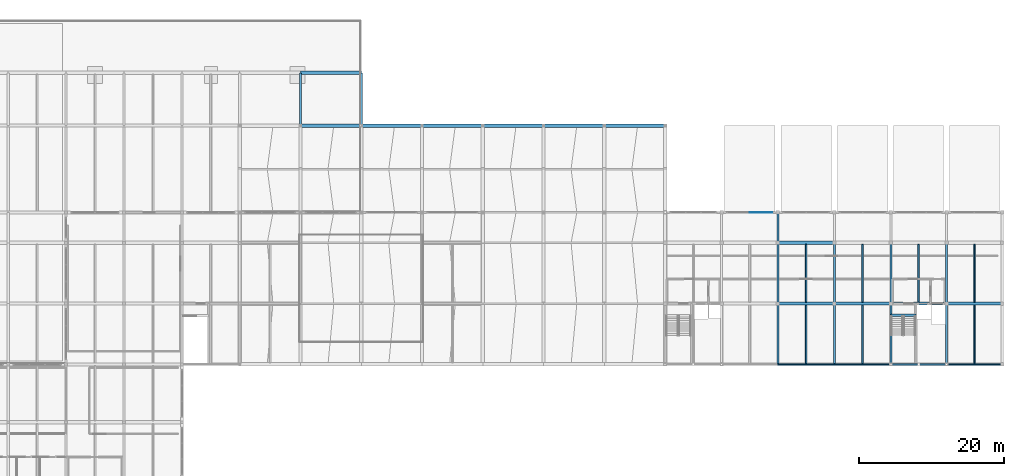
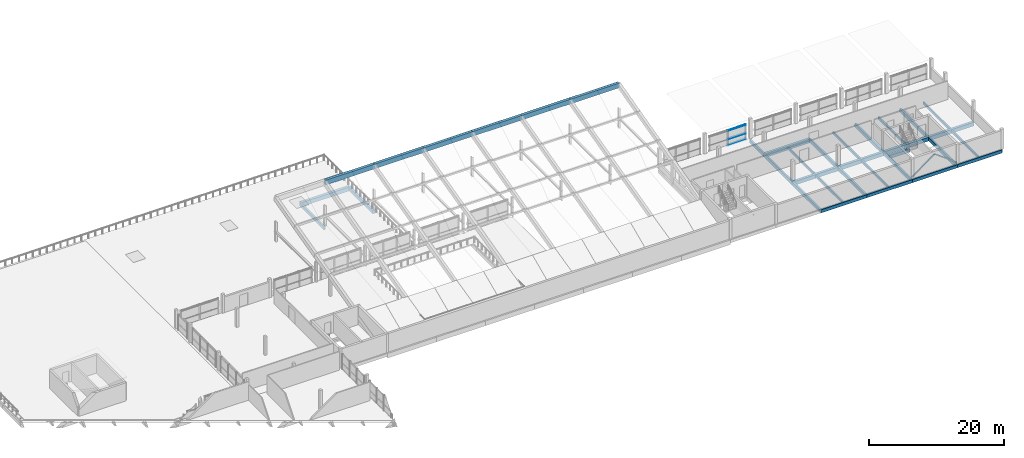
# One storey, part 30 of 51: 35 beams, 5 members, 1 element without a shape of its own.
"""IFC4 building model written with IfcOpenShell, lengths in metres."""

from ifc_helpers import new_model, si_unit, direction, frame, origin, origin_2d, place, context, subcontext, project, spatial, rectangle, hollow_rectangle, extrude, material, material_profile, profile_set, type_object, element, aggregate, save


model = new_model("IFC4")

# Units and contexts
model_context = context("Model", 3, precision=1e-05, world=origin(), true_north=direction((0.0, 1.0)))
body_context = subcontext(model_context, "Body", "Model", "MODEL_VIEW")
ifc_project = project(units=[si_unit("LENGTHUNIT", "METRE"), si_unit("AREAUNIT", "SQUARE_METRE"), si_unit("VOLUMEUNIT", "CUBIC_METRE"), si_unit("PLANEANGLEUNIT", "RADIAN"), si_unit("MASSUNIT", "GRAM", prefix="KILO")], contexts=[model_context])

# Site, building, storey
site_placement = place(None, origin())
site = spatial("IfcSite", under=ifc_project, at=site_placement, CompositionType="ELEMENT")
building_placement = place(site_placement, origin())
building = spatial("IfcBuilding", under=site, at=building_placement, Name="Vharandega Faculty of Natural Sciences", CompositionType="ELEMENT")
storey_placement = place(building_placement, frame((0.0, 0.0, 18.0)))
storey = spatial("IfcBuildingStorey", under=building, at=storey_placement, Name="L04", CompositionType="ELEMENT", Elevation=18.0)

# Curtain wall, members
ifc_material_1 = material(Name="Aluminium and solar-control glass curtain wall", Category="aluminium")
curtain_wall_type = type_object("IfcCurtainWallType", Name="Unitised Curtain Wall System CW-22", PredefinedType="NOTDEFINED", material=ifc_material_1)
curtain_wall_placement = place(storey_placement, origin())
curtain_wall = element("IfcCurtainWall", 1, at=curtain_wall_placement, inside=storey, type_object=curtain_wall_type, Name="Curtain Wall CW-L04-021", PredefinedType="NOTDEFINED")
ifc_material_2 = material(Name="Thermally broken aluminium 6063-T6", Category="aluminium")
ifc_material_profile_1 = material_profile(ifc_material_2, rectangle(XDim=0.06005859375, YDim=0.1201171875, at=origin_2d()), Name="ALU 60x120")
ifc_profile_set_1 = profile_set([ifc_material_profile_1], Name="Thermally broken aluminium 6063-T6")
member_type_1 = type_object("IfcMemberType", Name="CW Transom 60x120", PredefinedType="USERDEFINED", material=ifc_profile_set_1)
member_1_placement = place(storey_placement, frame((126.530029296875, 85.0, 0.030029296875), z_axis=(1.0, 0.0, 0.0), x_axis=(0.0, 1.0, 0.0)))
member_1 = element("IfcMember", 2, at=member_1_placement, type_object=member_type_1, Name="CW-22 transom 2.1", ObjectType="TRANSOM", PredefinedType="USERDEFINED", context=body_context, shape_type="SweptSolid", body=[
    extrude(rectangle(XDim=0.06005859375, YDim=0.1201171875, at=origin_2d()), origin(), (0.0, 0.0, 1.0), 3.070068359375),
])
member_2_placement = place(storey_placement, frame((126.530029296875, 85.0, 1.12548828125), z_axis=(1.0, 0.0, 0.0), x_axis=(0.0, 1.0, 0.0)))
member_2 = element("IfcMember", 3, at=member_2_placement, type_object=member_type_1, Name="CW-22 transom 2.2", ObjectType="TRANSOM", PredefinedType="USERDEFINED", context=body_context, shape_type="SweptSolid", body=[
    extrude(rectangle(XDim=0.06005859375, YDim=0.1201171875, at=origin_2d()), origin(), (0.0, 0.0, 1.0), 3.070068359375),
])
member_3_placement = place(storey_placement, frame((126.530029296875, 85.0, 2.64990234375), z_axis=(1.0, 0.0, 0.0), x_axis=(0.0, 1.0, 0.0)))
member_3 = element("IfcMember", 4, at=member_3_placement, type_object=member_type_1, Name="CW-22 transom 2.3", ObjectType="TRANSOM", PredefinedType="USERDEFINED", context=body_context, shape_type="SweptSolid", body=[
    extrude(rectangle(XDim=0.06005859375, YDim=0.1201171875, at=origin_2d()), origin(), (0.0, 0.0, 1.0), 3.070068359375),
])
aggregate(curtain_wall, [member_1, member_2, member_3])

# Beams
ifc_material_3 = material(Name="Glulam GL28h", Category="wood")
ifc_material_profile_2 = material_profile(ifc_material_3, rectangle(XDim=0.300048828125, YDim=0.60009765625, at=origin_2d()), Name="GL28h 300x600")
ifc_profile_set_2 = profile_set([ifc_material_profile_2], Name="Glulam GL28h")
beam_type_1 = type_object("IfcBeamType", Name="Glulam Floor Beam 300x600", PredefinedType="BEAM", material=ifc_profile_set_2)
beam_1_placement = place(storey_placement, frame((64.39990234375, 97.0, -0.56005859375), z_axis=(0.0, 1.0, 0.0), x_axis=(-1.0, 0.0, 0.0)))
element("IfcBeam", 5, at=beam_1_placement, inside=storey, type_object=beam_type_1, Name="Beam L04 9/N-P", PredefinedType="BEAM", context=body_context, shape_type="SweptSolid", body=[
    extrude(rectangle(XDim=0.300048828125, YDim=0.60009765625, at=origin_2d()), origin(), (0.0, 0.0, 1.0), 7.300048828125),
])
beam_2_placement = place(storey_placement, frame((130.39990234375, 64.0, -0.5400390625), z_axis=(0.0, 1.0, 0.0), x_axis=(-1.0, 0.0, 0.0)))
element("IfcBeam", 6, at=beam_2_placement, inside=storey, type_object=beam_type_1, Name="Beam L04 17/J-K", PredefinedType="BEAM", context=body_context, shape_type="SweptSolid", body=[
    extrude(rectangle(XDim=0.300048828125, YDim=0.60009765625, at=origin_2d()), origin(), (0.0, 0.0, 1.0), 8.39990234375),
])
beam_3_placement = place(storey_placement, frame((130.39990234375, 72.39990234375, -0.5400390625), z_axis=(0.0, 1.0, 0.0), x_axis=(-1.0, 0.0, 0.0)))
element("IfcBeam", 7, at=beam_3_placement, inside=storey, type_object=beam_type_1, Name="Beam L04 17/K-L", PredefinedType="BEAM", context=body_context, shape_type="SweptSolid", body=[
    extrude(rectangle(XDim=0.300048828125, YDim=0.60009765625, at=origin_2d()), origin(), (0.0, 0.0, 1.0), 8.400146484375),
])
beam_4_placement = place(storey_placement, frame((130.39990234375, 80.800048828125, -0.5400390625), z_axis=(0.0, 1.0, 0.0), x_axis=(-1.0, 0.0, 0.0)))
element("IfcBeam", 8, at=beam_4_placement, inside=storey, type_object=beam_type_1, Name="Beam L04 17/L-M", PredefinedType="BEAM", context=body_context, shape_type="SweptSolid", body=[
    extrude(rectangle(XDim=0.300048828125, YDim=0.60009765625, at=origin_2d()), origin(), (0.0, 0.0, 1.0), 4.199951171875),
])
beam_5_placement = place(storey_placement, frame((138.199951171875, 64.0, -0.5400390625), z_axis=(0.0, 1.0, 0.0), x_axis=(-1.0, 0.0, 0.0)))
element("IfcBeam", 9, at=beam_5_placement, inside=storey, type_object=beam_type_1, Name="Beam L04 18/J-K", PredefinedType="BEAM", context=body_context, shape_type="SweptSolid", body=[
    extrude(rectangle(XDim=0.300048828125, YDim=0.60009765625, at=origin_2d()), origin(), (0.0, 0.0, 1.0), 8.39990234375),
])
beam_6_placement = place(storey_placement, frame((138.199951171875, 72.39990234375, -0.5400390625), z_axis=(0.0, 1.0, 0.0), x_axis=(-1.0, 0.0, 0.0)))
element("IfcBeam", 10, at=beam_6_placement, inside=storey, type_object=beam_type_1, Name="Beam L04 18/K-L", PredefinedType="BEAM", context=body_context, shape_type="SweptSolid", body=[
    extrude(rectangle(XDim=0.300048828125, YDim=0.60009765625, at=origin_2d()), origin(), (0.0, 0.0, 1.0), 8.400146484375),
])
beam_7_placement = place(storey_placement, frame((146.0, 64.0, -0.5400390625), z_axis=(0.0, 1.0, 0.0), x_axis=(-1.0, 0.0, 0.0)))
element("IfcBeam", 11, at=beam_7_placement, inside=storey, type_object=beam_type_1, Name="Beam L04 19/J-K", PredefinedType="BEAM", context=body_context, shape_type="SweptSolid", body=[
    extrude(rectangle(XDim=0.300048828125, YDim=0.60009765625, at=origin_2d()), origin(), (0.0, 0.0, 1.0), 8.39990234375),
])
beam_8_placement = place(storey_placement, frame((146.0, 72.39990234375, -0.5400390625), z_axis=(0.0, 1.0, 0.0), x_axis=(-1.0, 0.0, 0.0)))
element("IfcBeam", 12, at=beam_8_placement, inside=storey, type_object=beam_type_1, Name="Beam L04 19/K-L", PredefinedType="BEAM", context=body_context, shape_type="SweptSolid", body=[
    extrude(rectangle(XDim=0.300048828125, YDim=0.60009765625, at=origin_2d()), origin(), (0.0, 0.0, 1.0), 8.400146484375),
])
beam_9_placement = place(storey_placement, frame((153.699951171875, 64.0, -0.5400390625), z_axis=(0.0, 1.0, 0.0), x_axis=(-1.0, 0.0, 0.0)))
element("IfcBeam", 13, at=beam_9_placement, inside=storey, type_object=beam_type_1, Name="Beam L04 20/J-K", PredefinedType="BEAM", context=body_context, shape_type="SweptSolid", body=[
    extrude(rectangle(XDim=0.300048828125, YDim=0.60009765625, at=origin_2d()), origin(), (0.0, 0.0, 1.0), 8.39990234375),
])
beam_10_placement = place(storey_placement, frame((153.699951171875, 72.39990234375, -0.5400390625), z_axis=(0.0, 1.0, 0.0), x_axis=(-1.0, 0.0, 0.0)))
element("IfcBeam", 14, at=beam_10_placement, inside=storey, type_object=beam_type_1, Name="Beam L04 20/K-L", PredefinedType="BEAM", context=body_context, shape_type="SweptSolid", body=[
    extrude(rectangle(XDim=0.300048828125, YDim=0.60009765625, at=origin_2d()), origin(), (0.0, 0.0, 1.0), 8.400146484375),
])
ifc_material_4 = material(Name="Glulam GL32h", Category="wood")
ifc_material_profile_3 = material_profile(ifc_material_4, rectangle(XDim=0.43994140625, YDim=0.679931640625, at=origin_2d()), Name="GL32h 440x680")
ifc_profile_set_3 = profile_set([ifc_material_profile_3], Name="Glulam GL32h")
beam_type_2 = type_object("IfcBeamType", Name="Glulam Girder 440x680", PredefinedType="BEAM", material=ifc_profile_set_3)
for number, where, z_axis, x_axis, name in (
    (15, (130.39990234375, 72.39990234375, -0.580078125), (1.0, 0.0, 0.0), (0.0, 1.0, 0.0), "Beam L04 K/17-18"),
    (16, (138.199951171875, 72.39990234375, -0.580078125), (1.0, 0.0, 0.0), (0.0, 1.0, 0.0), "Beam L04 K/18-19"),
):
    element("IfcBeam", number, at=place(storey_placement, frame(where, z_axis=z_axis, x_axis=x_axis)), inside=storey, type_object=beam_type_2, Name=name, PredefinedType="BEAM", context=body_context, shape_type="SweptSolid", body=[
        extrude(rectangle(XDim=0.43994140625, YDim=0.679931640625, at=origin_2d()), origin(), (0.0, 0.0, 1.0), 7.800048828125),
    ])
for number, where, z_axis, x_axis, name in (
    (17, (146.0, 72.39990234375, -0.580078125), (1.0, 0.0, 0.0), (0.0, 1.0, 0.0), "Beam L04 K/19-20"),
    (18, (153.699951171875, 72.39990234375, -0.580078125), (1.0, 0.0, 0.0), (0.0, 1.0, 0.0), "Beam L04 K/20-21"),
):
    element("IfcBeam", number, at=place(storey_placement, frame(where, z_axis=z_axis, x_axis=x_axis)), inside=storey, type_object=beam_type_2, Name=name, PredefinedType="BEAM", context=body_context, shape_type="SweptSolid", body=[
        extrude(rectangle(XDim=0.43994140625, YDim=0.679931640625, at=origin_2d()), origin(), (0.0, 0.0, 1.0), 7.699951171875),
    ])
beam_11_placement = place(storey_placement, frame((130.39990234375, 80.800048828125, -0.580078125), z_axis=(1.0, 0.0, 0.0), x_axis=(0.0, 1.0, 0.0)))
element("IfcBeam", 19, at=beam_11_placement, inside=storey, type_object=beam_type_2, Name="Beam L04 L/17-18", PredefinedType="BEAM", context=body_context, shape_type="SweptSolid", body=[
    extrude(rectangle(XDim=0.43994140625, YDim=0.679931640625, at=origin_2d()), origin(), (0.0, 0.0, 1.0), 7.800048828125),
])
ifc_material_5 = material(Name="Glulam GL32h", Category="wood")
ifc_material_profile_4 = material_profile(ifc_material_5, rectangle(XDim=0.47998046875, YDim=0.719970703125, at=origin_2d()), Name="GL32h 480x720")
ifc_profile_set_4 = profile_set([ifc_material_profile_4], Name="Glulam GL32h")
beam_type_3 = type_object("IfcBeamType", Name="Glulam Primary Girder 480x720", PredefinedType="BEAM", material=ifc_profile_set_4)
beam_12_placement = place(storey_placement, frame((64.39990234375, 104.300048828125, -0.6201171875), z_axis=(1.0, 0.0, 0.0), x_axis=(0.0, 1.0, 0.0)))
element("IfcBeam", 20, at=beam_12_placement, inside=storey, type_object=beam_type_3, Name="Beam L04 P/9-10", PredefinedType="BEAM", context=body_context, shape_type="SweptSolid", body=[
    extrude(rectangle(XDim=0.47998046875, YDim=0.719970703125, at=origin_2d()), origin(), (0.0, 0.0, 1.0), 8.400146484375),
])
ifc_material_6 = material(Name="Glulam GL28h", Category="wood")
ifc_material_profile_5 = material_profile(ifc_material_6, rectangle(XDim=0.219970703125, YDim=0.43994140625, at=origin_2d()), Name="GL28h 220x440")
ifc_profile_set_5 = profile_set([ifc_material_profile_5], Name="Glulam GL28h")
beam_type_4 = type_object("IfcBeamType", Name="Glulam Secondary Joist 220x440", PredefinedType="JOIST", material=ifc_profile_set_5)
beam_13_placement = place(storey_placement, frame((134.300048828125, 64.1201171875, -0.4599609375), z_axis=(0.0, 1.0, 0.0), x_axis=(-1.0, 0.0, 0.0)))
element("IfcBeam", 21, at=beam_13_placement, inside=storey, type_object=beam_type_4, Name="Secondary Joist L04 17-18/J-K", PredefinedType="JOIST", context=body_context, shape_type="SweptSolid", body=[
    extrude(rectangle(XDim=0.219970703125, YDim=0.43994140625, at=origin_2d()), origin(), (0.0, 0.0, 1.0), 8.059814453125),
])
beam_14_placement = place(storey_placement, frame((134.300048828125, 72.6201171875, -0.4599609375), z_axis=(0.0, 1.0, 0.0), x_axis=(-1.0, 0.0, 0.0)))
element("IfcBeam", 22, at=beam_14_placement, inside=storey, type_object=beam_type_4, Name="Secondary Joist L04 17-18/K-L", PredefinedType="JOIST", context=body_context, shape_type="SweptSolid", body=[
    extrude(rectangle(XDim=0.219970703125, YDim=0.43994140625, at=origin_2d()), origin(), (0.0, 0.0, 1.0), 7.9599609375),
])
beam_15_placement = place(storey_placement, frame((142.10009765625, 64.1201171875, -0.4599609375), z_axis=(0.0, 1.0, 0.0), x_axis=(-1.0, 0.0, 0.0)))
element("IfcBeam", 23, at=beam_15_placement, inside=storey, type_object=beam_type_4, Name="Secondary Joist L04 18-19/J-K", PredefinedType="JOIST", context=body_context, shape_type="SweptSolid", body=[
    extrude(rectangle(XDim=0.219970703125, YDim=0.43994140625, at=origin_2d()), origin(), (0.0, 0.0, 1.0), 8.059814453125),
])
for number, where, z_axis, x_axis, name in (
    (24, (142.10009765625, 72.6201171875, -0.4599609375), (0.0, 1.0, 0.0), (-1.0, 0.0, 0.0), "Secondary Joist L04 18-19/K-L"),
    (25, (149.85009765625, 72.6201171875, -0.4599609375), (0.0, 1.0, 0.0), (-1.0, 0.0, 0.0), "Secondary Joist L04 19-20/K-L"),
):
    element("IfcBeam", number, at=place(storey_placement, frame(where, z_axis=z_axis, x_axis=x_axis)), inside=storey, type_object=beam_type_4, Name=name, PredefinedType="JOIST", context=body_context, shape_type="SweptSolid", body=[
        extrude(rectangle(XDim=0.219970703125, YDim=0.43994140625, at=origin_2d()), origin(), (0.0, 0.0, 1.0), 7.9599609375),
    ])
beam_16_placement = place(storey_placement, frame((157.550048828125, 64.1201171875, -0.4599609375), z_axis=(0.0, 1.0, 0.0), x_axis=(-1.0, 0.0, 0.0)))
element("IfcBeam", 26, at=beam_16_placement, inside=storey, type_object=beam_type_4, Name="Secondary Joist L04 20-21/J-K", PredefinedType="JOIST", context=body_context, shape_type="SweptSolid", body=[
    extrude(rectangle(XDim=0.219970703125, YDim=0.43994140625, at=origin_2d()), origin(), (0.0, 0.0, 1.0), 8.059814453125),
])
beam_17_placement = place(storey_placement, frame((157.550048828125, 72.6201171875, -0.4599609375), z_axis=(0.0, 1.0, 0.0), x_axis=(-1.0, 0.0, 0.0)))
element("IfcBeam", 27, at=beam_17_placement, inside=storey, type_object=beam_type_4, Name="Secondary Joist L04 20-21/K-L", PredefinedType="JOIST", context=body_context, shape_type="SweptSolid", body=[
    extrude(rectangle(XDim=0.219970703125, YDim=0.43994140625, at=origin_2d()), origin(), (0.0, 0.0, 1.0), 7.9599609375),
])
ifc_material_7 = material(Name="Glulam GL28h", Category="wood")
ifc_material_profile_6 = material_profile(ifc_material_7, rectangle(XDim=0.239990234375, YDim=0.56005859375, at=origin_2d()), Name="GL28h 240x560")
ifc_profile_set_6 = profile_set([ifc_material_profile_6], Name="Glulam GL28h")
beam_type_5 = type_object("IfcBeamType", Name="Glulam Spandrel Edge Beam 240x560", PredefinedType="SPANDREL", material=ifc_profile_set_6)
for number, where, z_axis, x_axis, name in (
    (28, (130.39990234375, 64.0, -0.52001953125), (1.0, 0.0, 0.0), (0.0, 1.0, 0.0), "Beam L04 J/17-18"),
    (29, (138.199951171875, 64.0, -0.52001953125), (1.0, 0.0, 0.0), (0.0, 1.0, 0.0), "Beam L04 J/18-19"),
):
    element("IfcBeam", number, at=place(storey_placement, frame(where, z_axis=z_axis, x_axis=x_axis)), inside=storey, type_object=beam_type_5, Name=name, PredefinedType="SPANDREL", context=body_context, shape_type="SweptSolid", body=[
        extrude(rectangle(XDim=0.239990234375, YDim=0.56005859375, at=origin_2d()), origin(), (0.0, 0.0, 1.0), 7.800048828125),
    ])
for number, where, z_axis, x_axis, name in (
    (30, (146.0, 64.0, -0.52001953125), (1.0, 0.0, 0.0), (0.0, 1.0, 0.0), "Beam L04 J/19-20"),
    (31, (153.699951171875, 64.0, -0.52001953125), (1.0, 0.0, 0.0), (0.0, 1.0, 0.0), "Beam L04 J/20-21"),
):
    element("IfcBeam", number, at=place(storey_placement, frame(where, z_axis=z_axis, x_axis=x_axis)), inside=storey, type_object=beam_type_5, Name=name, PredefinedType="SPANDREL", context=body_context, shape_type="SweptSolid", body=[
        extrude(rectangle(XDim=0.239990234375, YDim=0.56005859375, at=origin_2d()), origin(), (0.0, 0.0, 1.0), 7.699951171875),
    ])
ifc_material_8 = material(Name="Glulam GL32h", Category="wood")
ifc_material_profile_7 = material_profile(ifc_material_8, rectangle(XDim=0.39990234375, YDim=0.60009765625, at=origin_2d()), Name="GL32h 400x600")
ifc_profile_set_7 = profile_set([ifc_material_profile_7], Name="Glulam GL32h")
beam_type_6 = type_object("IfcBeamType", Name="Glulam Spine Girder 400x600", PredefinedType="BEAM", material=ifc_profile_set_7)
beam_18_placement = place(storey_placement, frame((72.800048828125, 97.0, -0.56005859375), z_axis=(0.0, 1.0, 0.0), x_axis=(-1.0, 0.0, 0.0)))
element("IfcBeam", 32, at=beam_18_placement, inside=storey, type_object=beam_type_6, Name="Beam L04 10/N-P", PredefinedType="BEAM", context=body_context, shape_type="SweptSolid", body=[
    extrude(rectangle(XDim=0.39990234375, YDim=0.60009765625, at=origin_2d()), origin(), (0.0, 0.0, 1.0), 7.300048828125),
])
ifc_material_9 = material(Name="Concrete C40/50", Category="concrete")
ifc_material_profile_8 = material_profile(ifc_material_9, rectangle(XDim=0.449951171875, YDim=0.85009765625, at=origin_2d()), Name="RC 450x850")
ifc_profile_set_8 = profile_set([ifc_material_profile_8], Name="Concrete C40/50")
beam_type_7 = type_object("IfcBeamType", Name="Shell Edge Beam 450x850", PredefinedType="BEAM", material=ifc_profile_set_8)
beam_19_placement = place(storey_placement, frame((64.39990234375, 97.0, 7.81494140625), z_axis=(1.0, 0.0, 0.0), x_axis=(0.0, 1.0, 0.0)))
element("IfcBeam", 33, at=beam_19_placement, inside=storey, type_object=beam_type_7, Name="Shell Edge Beam B2-5", PredefinedType="BEAM", context=body_context, shape_type="SweptSolid", body=[
    extrude(rectangle(XDim=0.449951171875, YDim=0.85009765625, at=origin_2d()), origin(), (0.0, 0.0, 1.0), 8.400146484375),
])
beam_20_placement = place(storey_placement, frame((72.800048828125, 97.0, 7.81494140625), z_axis=(1.0, 0.0, 0.0), x_axis=(0.0, 1.0, 0.0)))
element("IfcBeam", 34, at=beam_20_placement, inside=storey, type_object=beam_type_7, Name="Shell Edge Beam B3-5", PredefinedType="BEAM", context=body_context, shape_type="SweptSolid", body=[
    extrude(rectangle(XDim=0.449951171875, YDim=0.85009765625, at=origin_2d()), origin(), (0.0, 0.0, 1.0), 8.39990234375),
])
beam_21_placement = place(storey_placement, frame((81.199951171875, 97.0, 7.81494140625), z_axis=(1.0, 0.0, 0.0), x_axis=(0.0, 1.0, 0.0)))
element("IfcBeam", 35, at=beam_21_placement, inside=storey, type_object=beam_type_7, Name="Shell Edge Beam B4-5", PredefinedType="BEAM", context=body_context, shape_type="SweptSolid", body=[
    extrude(rectangle(XDim=0.449951171875, YDim=0.85009765625, at=origin_2d()), origin(), (0.0, 0.0, 1.0), 8.400146484375),
])
for number, where, z_axis, x_axis, name in (
    (36, (89.60009765625, 97.0, 7.81494140625), (1.0, 0.0, 0.0), (0.0, 1.0, 0.0), "Shell Edge Beam B5-5"),
    (37, (98.0, 97.0, 7.81494140625), (1.0, 0.0, 0.0), (0.0, 1.0, 0.0), "Shell Edge Beam B6-5"),
):
    element("IfcBeam", number, at=place(storey_placement, frame(where, z_axis=z_axis, x_axis=x_axis)), inside=storey, type_object=beam_type_7, Name=name, PredefinedType="BEAM", context=body_context, shape_type="SweptSolid", body=[
        extrude(rectangle(XDim=0.449951171875, YDim=0.85009765625, at=origin_2d()), origin(), (0.0, 0.0, 1.0), 8.39990234375),
    ])
beam_22_placement = place(storey_placement, frame((106.39990234375, 97.0, 7.81494140625), z_axis=(1.0, 0.0, 0.0), x_axis=(0.0, 1.0, 0.0)))
element("IfcBeam", 38, at=beam_22_placement, inside=storey, type_object=beam_type_7, Name="Shell Edge Beam B7-5", PredefinedType="BEAM", context=body_context, shape_type="SweptSolid", body=[
    extrude(rectangle(XDim=0.449951171875, YDim=0.85009765625, at=origin_2d()), origin(), (0.0, 0.0, 1.0), 8.400146484375),
])
ifc_material_10 = material(Name="Concrete C40/50", Category="concrete")
ifc_material_profile_9 = material_profile(ifc_material_10, rectangle(XDim=0.35009765625, YDim=0.550048828125, at=origin_2d()), Name="RC 350x550")
ifc_profile_set_9 = profile_set([ifc_material_profile_9], Name="Concrete C40/50")
beam_type_8 = type_object("IfcBeamType", Name="Stair Header Trimmer Beam 350x550", PredefinedType="BEAM", material=ifc_profile_set_9)
beam_23_placement = place(storey_placement, frame((146.0, 70.800048828125, -0.27490234375), z_axis=(1.0, 0.0, 0.0), x_axis=(0.0, 1.0, 0.0)))
element("IfcBeam", 39, at=beam_23_placement, inside=storey, type_object=beam_type_8, Name="Stair Landing Trimmer Beam C2 L04", PredefinedType="BEAM", context=body_context, shape_type="SweptSolid", body=[
    extrude(rectangle(XDim=0.35009765625, YDim=0.550048828125, at=origin_2d()), origin(), (0.0, 0.0, 1.0), 3.4599609375),
])

# Members
ifc_material_11 = material(Name="Steel S355", Category="steel")
ifc_material_profile_10 = material_profile(ifc_material_11, hollow_rectangle(XDim=0.179931640625, YDim=0.179931640625, WallThickness=0.010009765625, at=origin_2d()), Name="SHS 180x180x10")
ifc_profile_set_10 = profile_set([ifc_material_profile_10], Name="Steel S355")
member_type_2 = type_object("IfcMemberType", Name="Timber Frame Diagonal Brace SHS 180", PredefinedType="BRACE", material=ifc_profile_set_10)
member_4_placement = place(storey_placement, frame((146.0, 64.0, 0.14990234375), z_axis=(0.802740366936, 0.0, 0.596328687296), x_axis=(0.0, 1.0, 0.0)))
element("IfcMember", 40, at=member_4_placement, inside=storey, type_object=member_type_2, Name="Chevron Brace J2 L04-1", PredefinedType="BRACE", context=body_context, shape_type="SweptSolid", body=[
    extrude(hollow_rectangle(XDim=0.179931640625, YDim=0.179931640625, WallThickness=0.010009765625, at=origin_2d()), origin(), (0.0, 0.0, 1.0), 4.796142578125),
])
member_5_placement = place(storey_placement, frame((153.699951171875, 64.0, 0.14990234375), z_axis=(-0.802722264316, 0.0, 0.596353055137), x_axis=(0.0, -1.0, 0.0)))
element("IfcMember", 41, at=member_5_placement, inside=storey, type_object=member_type_2, Name="Chevron Brace J2 L04-2", PredefinedType="BRACE", context=body_context, shape_type="SweptSolid", body=[
    extrude(hollow_rectangle(XDim=0.179931640625, YDim=0.179931640625, WallThickness=0.010009765625, at=origin_2d()), origin(), (0.0, 0.0, 1.0), 4.7958984375),
])

save(model, "model.ifc")
